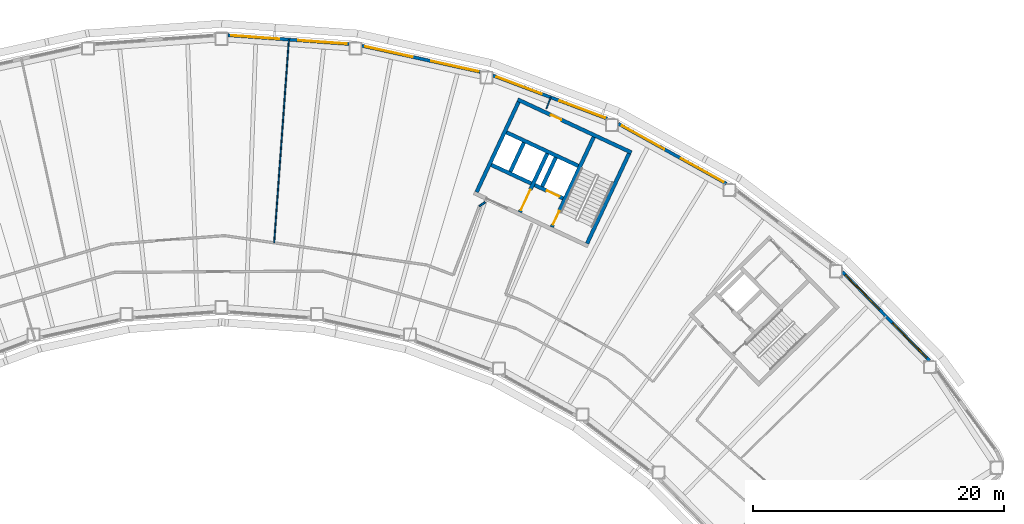
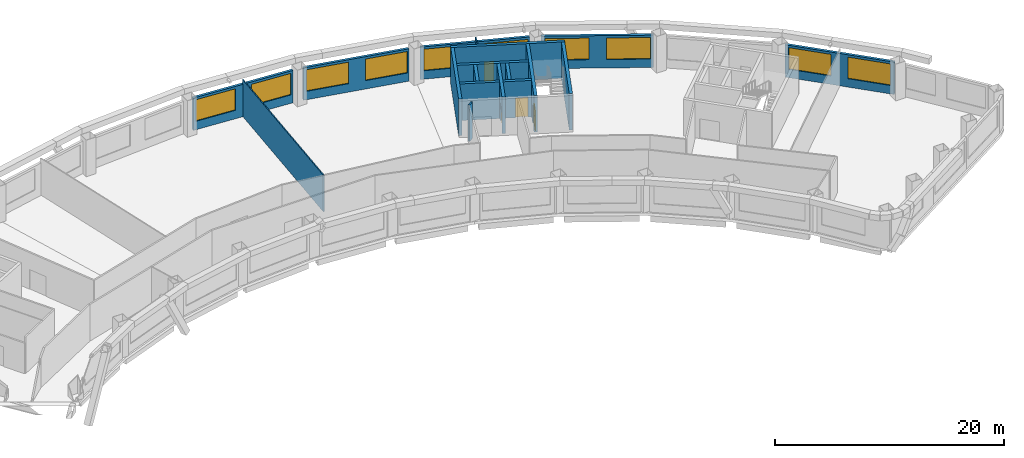
# One storey, part 7 of 13: 18 walls, 10 windows, 4 doors, 14 openings.
"""IFC4 building model written with IfcOpenShell, lengths in metres."""

from ifc_helpers import new_model, si_unit, direction, frame, frame_2d, origin, place, context, subcontext, project, spatial, rectangle, extrude, material, layer, layer_set, type_object, element, fill, save


model = new_model("IFC4")

# Units and contexts
model_context = context("Model", 3, precision=1e-05, world=origin(), true_north=direction((0.0, 1.0)))
body_context = subcontext(model_context, "Body", "Model", "MODEL_VIEW")
ifc_project = project(units=[si_unit("LENGTHUNIT", "METRE"), si_unit("AREAUNIT", "SQUARE_METRE"), si_unit("VOLUMEUNIT", "CUBIC_METRE"), si_unit("PLANEANGLEUNIT", "RADIAN"), si_unit("MASSUNIT", "GRAM", prefix="KILO")], contexts=[model_context])

# Site, building, storey
site_placement = place(None, origin())
site = spatial("IfcSite", under=ifc_project, at=site_placement, CompositionType="ELEMENT")
building_placement = place(site_placement, origin())
building = spatial("IfcBuilding", under=site, at=building_placement, Name="Tuul Gate Civic Tower", CompositionType="ELEMENT")
storey_placement = place(building_placement, frame((0.0, 0.0, 150.800048828125)))
storey = spatial("IfcBuildingStorey", under=building, at=storey_placement, Name="Level 34", CompositionType="ELEMENT", Elevation=150.800048828125)

# Wall, opening, door
ifc_material_1 = material(Name="Concrete C50/60", Category="concrete")
ifc_layer_1 = layer(ifc_material_1, 0.300048828125)
ifc_layer_set_1 = layer_set([ifc_layer_1], Name="Concrete C50/60")
wall_type_1 = type_object("IfcWallType", Name="Core wall C50/60", PredefinedType="SHEAR", material=ifc_layer_set_1)
wall_1_placement = place(storey_placement, frame((32.545654296875, -3.456787109375, 0.0), z_axis=(0.0, 0.0, 1.0), x_axis=(-0.906300357825, 0.42263419337, 0.0)))
wall_1 = element("IfcWall", 1, at=wall_1_placement, inside=storey, type_object=wall_type_1, Name="Core wall", PredefinedType="SHEAR", context=body_context, shape_type="SweptSolid", body=[
    extrude(rectangle(XDim=2.500244140625, YDim=0.300048828125, at=frame_2d((1.25, 0.0))), origin(), (0.0, 0.0, 1.0), 3.89990234375),
])
opening_1_placement = place(wall_1_placement, frame((0.324951171875, 0.0, 0.0)))
opening_1 = element("IfcOpeningElement", 2, at=opening_1_placement, cuts=wall_1, Name="Opening LD-FF-2", PredefinedType="OPENING", context=body_context, shape_type="SweptSolid", body=[
    extrude(rectangle(XDim=1.10009765625, YDim=2.10009765625, at=frame_2d((0.550048828125, 1.050048828125))), frame((0.0, 0.16015625, 0.0), z_axis=(0.0, -1.0, 0.0), x_axis=(1.0, 0.0, 0.0)), (0.0, 0.0, 1.0), 0.320068359375),
])
ifc_material_2 = material(Name="Stainless steel", Category="steel")
door_type_1 = type_object("IfcDoorType", Name="Landing door", OperationType="DOUBLE_DOOR_SLIDING", PredefinedType="DOOR", material=ifc_material_2)
door_1_placement = place(opening_1_placement, origin())
door_1 = element("IfcDoor", 3, at=door_1_placement, inside=storey, type_object=door_type_1, Name="Fire-fighting lift FF-2 landing door", OperationType="DOUBLE_DOOR_SLIDING", OverallHeight=2.10009765625, OverallWidth=1.10009765625, PredefinedType="DOOR", context=body_context, shape_type="SweptSolid", body=[
    extrude(rectangle(XDim=1.10009765625, YDim=2.10009765625, at=frame_2d((0.550048828125, 1.050048828125))), frame((0.0, 0.02490234375, 0.0), z_axis=(0.0, -1.0, 0.0), x_axis=(1.0, 0.0, 0.0)), (0.0, 0.0, 1.0), 0.050048828125),
])
fill(opening_1, door_1)

# Walls
wall_2_placement = place(storey_placement, frame((30.0078125, -2.2734375, 0.0), z_axis=(0.0, 0.0, 1.0), x_axis=(-0.90630071767, 0.422633421716, 0.0)))
element("IfcWall", 4, at=wall_2_placement, inside=storey, type_object=wall_type_1, Name="Core wall", PredefinedType="SHEAR", context=body_context, shape_type="SweptSolid", body=[
    extrude(rectangle(XDim=3.5, YDim=0.300048828125, at=frame_2d((1.75, 0.0))), origin(), (0.0, 0.0, 1.0), 3.89990234375),
])
wall_3_placement = place(storey_placement, frame((33.75, -0.873779296875, 0.0), z_axis=(0.0, 0.0, 1.0), x_axis=(-0.906300917592, 0.422632992999, 0.0)))
element("IfcWall", 5, at=wall_3_placement, inside=storey, type_object=wall_type_1, Name="Core wall", PredefinedType="SHEAR", context=body_context, shape_type="SweptSolid", body=[
    extrude(rectangle(XDim=6.300048828125, YDim=0.300048828125, at=frame_2d((3.14990234375, 0.0))), origin(), (0.0, 0.0, 1.0), 3.89990234375),
])

# Wall, opening, door
wall_4_placement = place(storey_placement, frame((37.993408203125, 0.181884765625, 0.0), z_axis=(0.0, 0.0, 1.0), x_axis=(-0.906310338845, 0.422612789327, 0.0)))
wall_4 = element("IfcWall", 6, at=wall_4_placement, inside=storey, type_object=wall_type_1, Name="Core wall", PredefinedType="SHEAR", context=body_context, shape_type="SweptSolid", body=[
    extrude(rectangle(XDim=9.999755859375, YDim=0.300048828125, at=frame_2d((5.0, 0.0))), origin(), (0.0, 0.0, 1.0), 3.89990234375),
])
opening_2_placement = place(wall_4_placement, frame((6.175048828125, 0.0, 0.0)))
opening_2 = element("IfcOpeningElement", 7, at=opening_2_placement, cuts=wall_4, Name="Opening L-D15", PredefinedType="OPENING", context=body_context, shape_type="SweptSolid", body=[
    extrude(rectangle(XDim=0.89990234375, YDim=2.10009765625, at=frame_2d((0.449951171875, 1.050048828125))), frame((0.0, 0.16015625, 0.0), z_axis=(0.0, -1.0, 0.0), x_axis=(1.0, 0.0, 0.0)), (0.0, 0.0, 1.0), 0.320068359375),
])
ifc_material_3 = material(Name="Timber door leaf", Category="wood")
door_type_2 = type_object("IfcDoorType", Name="Door D09", OperationType="NOTDEFINED", PredefinedType="DOOR", material=ifc_material_3)
door_2_placement = place(opening_2_placement, origin())
door_2 = element("IfcDoor", 8, at=door_2_placement, inside=storey, type_object=door_type_2, Name="Door L-D15", OperationType="SINGLE_SWING_LEFT", OverallHeight=2.10009765625, OverallWidth=0.89990234375, PredefinedType="DOOR", context=body_context, shape_type="SweptSolid", body=[
    extrude(rectangle(XDim=0.89990234375, YDim=2.10009765625, at=frame_2d((0.449951171875, 1.050048828125))), frame((0.0, 0.02490234375, 0.0), z_axis=(0.0, -1.0, 0.0), x_axis=(1.0, 0.0, 0.0)), (0.0, 0.0, 1.0), 0.050048828125),
])
fill(opening_2, door_2)

# Wall
wall_5_placement = place(storey_placement, frame((34.455810546875, -7.05078125, 0.0), z_axis=(0.0, 0.0, 1.0), x_axis=(0.422570768258, 0.906329932096, 0.0)))
element("IfcWall", 9, at=wall_5_placement, inside=storey, type_object=wall_type_1, Name="Core wall", PredefinedType="SHEAR", context=body_context, shape_type="SweptSolid", body=[
    extrude(rectangle(XDim=7.900146484375, YDim=0.300048828125, at=frame_2d((3.9501953125, 0.0))), origin(), (0.0, 0.0, 1.0), 3.89990234375),
])

# Wall, opening, door
wall_6_placement = place(storey_placement, frame((31.646240234375, -5.740478515625, 0.0), z_axis=(0.0, 0.0, 1.0), x_axis=(0.422582604137, 0.906324413596, 0.0)))
wall_6 = element("IfcWall", 10, at=wall_6_placement, inside=storey, type_object=wall_type_1, Name="Core wall", PredefinedType="SHEAR", context=body_context, shape_type="SweptSolid", body=[
    extrude(rectangle(XDim=7.89990234375, YDim=0.300048828125, at=frame_2d((3.949951171875, 0.0))), origin(), (0.0, 0.0, 1.0), 3.89990234375),
])
opening_3_placement = place(wall_6_placement, frame((0.199951171875, 0.0, 0.0)))
opening_3 = element("IfcOpeningElement", 11, at=opening_3_placement, cuts=wall_6, Name="Opening SD-ST-4", PredefinedType="OPENING", context=body_context, shape_type="SweptSolid", body=[
    extrude(rectangle(XDim=1.199951171875, YDim=2.10009765625, at=frame_2d((0.60009765625, 1.050048828125))), frame((0.0, 0.16015625, 0.0), z_axis=(0.0, -1.0, 0.0), x_axis=(1.0, 0.0, 0.0)), (0.0, 0.0, 1.0), 0.320068359375),
])
ifc_material_4 = material(Name="Steel", Category="steel")
door_type_3 = type_object("IfcDoorType", Name="Stair door", OperationType="NOTDEFINED", PredefinedType="DOOR", material=ifc_material_4)
door_3_placement = place(opening_3_placement, origin())
door_3 = element("IfcDoor", 12, at=door_3_placement, inside=storey, type_object=door_type_3, Name="Stair door ST-4", OperationType="SINGLE_SWING_LEFT", OverallHeight=2.10009765625, OverallWidth=1.199951171875, PredefinedType="DOOR", context=body_context, shape_type="SweptSolid", body=[
    extrude(rectangle(XDim=1.199951171875, YDim=2.10009765625, at=frame_2d((0.60009765625, 1.050048828125))), frame((0.0, 0.02490234375, 0.0), z_axis=(0.0, -1.0, 0.0), x_axis=(1.0, 0.0, 0.0)), (0.0, 0.0, 1.0), 0.050048828125),
])
fill(opening_3, door_3)

# Wall
wall_7_placement = place(storey_placement, frame((30.886962890625, -2.517822265625, 0.0), z_axis=(0.0, 0.0, 1.0), x_axis=(0.422612891016, 0.906310291427, 0.0)))
element("IfcWall", 13, at=wall_7_placement, inside=storey, type_object=wall_type_1, Name="Core wall", PredefinedType="SHEAR", context=body_context, shape_type="SweptSolid", body=[
    extrude(rectangle(XDim=2.550048828125, YDim=0.300048828125, at=frame_2d((1.27490234375, 0.0))), origin(), (0.0, 0.0, 1.0), 3.89990234375),
])

# Wall, opening, door
wall_8_placement = place(storey_placement, frame((29.108642578125, -4.557373046875, 0.0), z_axis=(0.0, 0.0, 1.0), x_axis=(0.422566235356, 0.90633204552, 0.0)))
wall_8 = element("IfcWall", 14, at=wall_8_placement, inside=storey, type_object=wall_type_1, Name="Core wall", PredefinedType="SHEAR", context=body_context, shape_type="SweptSolid", body=[
    extrude(rectangle(XDim=5.150146484375, YDim=0.300048828125, at=frame_2d((2.5751953125, 0.0))), origin(), (0.0, 0.0, 1.0), 3.89990234375),
])
opening_4_placement = place(wall_8_placement, frame((0.175048828125, 0.0, 0.0)))
opening_4 = element("IfcOpeningElement", 15, at=opening_4_placement, cuts=wall_8, Name="Opening LB-E3-FLOBBY-1", PredefinedType="OPENING", context=body_context, shape_type="SweptSolid", body=[
    extrude(rectangle(XDim=1.800048828125, YDim=2.10009765625, at=frame_2d((0.89990234375, 1.050048828125))), frame((0.0, 0.16015625, 0.0), z_axis=(0.0, -1.0, 0.0), x_axis=(1.0, 0.0, 0.0)), (0.0, 0.0, 1.0), 0.320068359375),
])
ifc_material_5 = material(Name="Steel", Category="steel")
door_type_4 = type_object("IfcDoorType", Name="Lobby door", OperationType="DOUBLE_DOOR_SINGLE_SWING", PredefinedType="DOOR", material=ifc_material_5)
door_4_placement = place(opening_4_placement, frame((1.800048828125, 0.0, 0.0), z_axis=(0.0, 0.0, 1.0), x_axis=(-1.0, 0.0, 0.0)))
door_4 = element("IfcDoor", 16, at=door_4_placement, inside=storey, type_object=door_type_4, Name="Lobby door E3-FLOBBY", OperationType="DOUBLE_DOOR_SINGLE_SWING", OverallHeight=2.10009765625, OverallWidth=1.800048828125, PredefinedType="DOOR", context=body_context, shape_type="SweptSolid", body=[
    extrude(rectangle(XDim=1.800048828125, YDim=2.10009765625, at=frame_2d((0.900146484375, 1.050048828125))), frame((0.0, 0.02490234375, 0.0), z_axis=(0.0, -1.0, 0.0), x_axis=(1.0, 0.0, 0.0)), (0.0, 0.0, 1.0), 0.050048828125),
])
fill(opening_4, door_4)

# Walls
wall_9_placement = place(storey_placement, frame((28.349365234375, -1.33447265625, 0.0), z_axis=(0.0, 0.0, 1.0), x_axis=(0.422612891016, 0.906310291427, 0.0)))
element("IfcWall", 17, at=wall_9_placement, inside=storey, type_object=wall_type_1, Name="Core wall", PredefinedType="SHEAR", context=body_context, shape_type="SweptSolid", body=[
    extrude(rectangle(XDim=2.550048828125, YDim=0.300048828125, at=frame_2d((1.27490234375, 0.0))), origin(), (0.0, 0.0, 1.0), 3.89990234375),
])
wall_10_placement = place(storey_placement, frame((25.66455078125, -2.951416015625, 0.0), z_axis=(0.0, 0.0, 1.0), x_axis=(0.422582604137, 0.906324413596, 0.0)))
element("IfcWall", 18, at=wall_10_placement, inside=storey, type_object=wall_type_1, Name="Core wall", PredefinedType="SHEAR", context=body_context, shape_type="SweptSolid", body=[
    extrude(rectangle(XDim=7.89990234375, YDim=0.300048828125, at=frame_2d((3.949951171875, 0.0))), origin(), (0.0, 0.0, 1.0), 3.89990234375),
])
ifc_material_6 = material(Name="Gypsum board partition")
ifc_layer_2 = layer(ifc_material_6, 0.14990234375)
ifc_layer_set_2 = layer_set([ifc_layer_2], Name="Gypsum board partition")
wall_type_2 = type_object("IfcWallType", Name="Corridor wall P150", PredefinedType="PARTITIONING", material=ifc_layer_set_2)
wall_11_placement = place(storey_placement, frame((25.884033203125, -4.08251953125, 0.0), z_axis=(0.0, 0.0, 1.0), x_axis=(0.823480373331, 0.567344758272, 0.0)))
element("IfcWall", 19, at=wall_11_placement, inside=storey, type_object=wall_type_2, Name="p015", PredefinedType="PARTITIONING", context=body_context, shape_type="SweptSolid", body=[
    extrude(rectangle(XDim=0.55859375, YDim=0.14990234375, at=frame_2d((0.279296875, 0.0))), origin(), (0.0, 0.0, 1.0), 3.89990234375),
])

# Wall, openings, windows
ifc_material_7 = material(Name="Precast concrete C40/50", Category="concrete")
ifc_layer_3 = layer(ifc_material_7, 0.25)
ifc_layer_set_3 = layer_set([ifc_layer_3], Name="Precast concrete C40/50")
wall_type_3 = type_object("IfcWallType", Name="External wall", PredefinedType="STANDARD", material=ifc_layer_set_3)
wall_12_placement = place(storey_placement, frame((61.7109375, -16.384033203125, 0.0), z_axis=(0.0, 0.0, 1.0), x_axis=(-0.700039889753, 0.714103740891, 0.0)))
wall_12 = element("IfcWall", 20, at=wall_12_placement, inside=storey, type_object=wall_type_3, Name="External wall", PredefinedType="STANDARD", context=body_context, shape_type="SweptSolid", body=[
    extrude(rectangle(XDim=9.912353515625, YDim=0.25, at=frame_2d((4.9560546875, 0.0))), origin(), (0.0, 0.0, 1.0), 3.449951171875),
])
opening_5_placement = place(wall_12_placement, frame((0.3466796875, 0.0, 0.89990234375)))
opening_5 = element("IfcOpeningElement", 21, at=opening_5_placement, cuts=wall_12, Name="Opening W22", PredefinedType="OPENING", context=body_context, shape_type="SweptSolid", body=[
    extrude(rectangle(XDim=3.85009765625, YDim=2.300048828125, at=frame_2d((1.925048828125, 1.14990234375))), frame((0.0, 0.135009765625, 0.0), z_axis=(0.0, -1.0, 0.0), x_axis=(1.0, 0.0, 0.0)), (0.0, 0.0, 1.0), 0.27001953125),
])
opening_6_placement = place(wall_12_placement, frame((5.7177734375, 0.0, 0.89990234375)))
opening_6 = element("IfcOpeningElement", 22, at=opening_6_placement, cuts=wall_12, Name="Opening W22", PredefinedType="OPENING", context=body_context, shape_type="SweptSolid", body=[
    extrude(rectangle(XDim=3.85009765625, YDim=2.300048828125, at=frame_2d((1.925048828125, 1.14990234375))), frame((0.0, 0.135009765625, 0.0), z_axis=(0.0, -1.0, 0.0), x_axis=(1.0, 0.0, 0.0)), (0.0, 0.0, 1.0), 0.27001953125),
])
ifc_material_8 = material(Name="Glass", Category="glass")
window_type = type_object("IfcWindowType", Name="Window W22 3850 x 2300", PartitioningType="SINGLE_PANEL", PredefinedType="WINDOW", material=ifc_material_8)
window_1_placement = place(opening_5_placement, origin())
window_1 = element("IfcWindow", 23, at=window_1_placement, inside=storey, type_object=window_type, Name="Window", OverallHeight=2.300048828125, OverallWidth=3.85009765625, PartitioningType="SINGLE_PANEL", PredefinedType="WINDOW", context=body_context, shape_type="SweptSolid", body=[
    extrude(rectangle(XDim=3.85009765625, YDim=2.300048828125, at=frame_2d((1.925048828125, 1.14990234375))), frame((0.0, 0.030029296875, 0.0), z_axis=(0.0, -1.0, 0.0), x_axis=(1.0, 0.0, 0.0)), (0.0, 0.0, 1.0), 0.06005859375),
])
fill(opening_5, window_1)
window_2_placement = place(opening_6_placement, origin())
window_2 = element("IfcWindow", 24, at=window_2_placement, inside=storey, type_object=window_type, Name="Window", OverallHeight=2.300048828125, OverallWidth=3.85009765625, PartitioningType="SINGLE_PANEL", PredefinedType="WINDOW", context=body_context, shape_type="SweptSolid", body=[
    extrude(rectangle(XDim=3.85009765625, YDim=2.300048828125, at=frame_2d((1.925048828125, 1.14990234375))), frame((0.0, 0.030029296875, 0.0), z_axis=(0.0, -1.0, 0.0), x_axis=(1.0, 0.0, 0.0)), (0.0, 0.0, 1.0), 0.06005859375),
])
fill(opening_6, window_2)

wall_13_placement = place(storey_placement, frame((45.545166015625, -2.291015625, 0.0), z_axis=(0.0, 0.0, 1.0), x_axis=(-0.874631968484, 0.484787499536, 0.0)))
wall_13 = element("IfcWall", 25, at=wall_13_placement, inside=storey, type_object=wall_type_3, Name="External wall", PredefinedType="STANDARD", context=body_context, shape_type="SweptSolid", body=[
    extrude(rectangle(XDim=9.8408203125, YDim=0.25, at=frame_2d((4.92041015625, 0.0))), origin(), (0.0, 0.0, 1.0), 3.449951171875),
])
opening_7_placement = place(wall_13_placement, frame((0.283447265625, 0.0, 0.89990234375)))
opening_7 = element("IfcOpeningElement", 26, at=opening_7_placement, cuts=wall_13, Name="Opening W22", PredefinedType="OPENING", context=body_context, shape_type="SweptSolid", body=[
    extrude(rectangle(XDim=3.85009765625, YDim=2.300048828125, at=frame_2d((1.925048828125, 1.14990234375))), frame((0.0, 0.135009765625, 0.0), z_axis=(0.0, -1.0, 0.0), x_axis=(1.0, 0.0, 0.0)), (0.0, 0.0, 1.0), 0.27001953125),
])
opening_8_placement = place(wall_13_placement, frame((5.655029296875, 0.0, 0.89990234375)))
opening_8 = element("IfcOpeningElement", 27, at=opening_8_placement, cuts=wall_13, Name="Opening W22", PredefinedType="OPENING", context=body_context, shape_type="SweptSolid", body=[
    extrude(rectangle(XDim=3.85009765625, YDim=2.300048828125, at=frame_2d((1.925048828125, 1.14990234375))), frame((0.0, 0.135009765625, 0.0), z_axis=(0.0, -1.0, 0.0), x_axis=(1.0, 0.0, 0.0)), (0.0, 0.0, 1.0), 0.27001953125),
])
window_3_placement = place(opening_7_placement, origin())
window_3 = element("IfcWindow", 28, at=window_3_placement, inside=storey, type_object=window_type, Name="Window", OverallHeight=2.300048828125, OverallWidth=3.85009765625, PartitioningType="SINGLE_PANEL", PredefinedType="WINDOW", context=body_context, shape_type="SweptSolid", body=[
    extrude(rectangle(XDim=3.85009765625, YDim=2.300048828125, at=frame_2d((1.925048828125, 1.14990234375))), frame((0.0, 0.030029296875, 0.0), z_axis=(0.0, -1.0, 0.0), x_axis=(1.0, 0.0, 0.0)), (0.0, 0.0, 1.0), 0.06005859375),
])
fill(opening_7, window_3)
window_4_placement = place(opening_8_placement, origin())
window_4 = element("IfcWindow", 29, at=window_4_placement, inside=storey, type_object=window_type, Name="Window", OverallHeight=2.300048828125, OverallWidth=3.85009765625, PartitioningType="SINGLE_PANEL", PredefinedType="WINDOW", context=body_context, shape_type="SweptSolid", body=[
    extrude(rectangle(XDim=3.85009765625, YDim=2.300048828125, at=frame_2d((1.925048828125, 1.14990234375))), frame((0.0, 0.030029296875, 0.0), z_axis=(0.0, -1.0, 0.0), x_axis=(1.0, 0.0, 0.0)), (0.0, 0.0, 1.0), 0.06005859375),
])
fill(opening_8, window_4)

wall_14_placement = place(storey_placement, frame((36.03564453125, 2.885009765625, 0.0), z_axis=(0.0, 0.0, 1.0), x_axis=(-0.935351451724, 0.353719750307, 0.0)))
wall_14 = element("IfcWall", 30, at=wall_14_placement, inside=storey, type_object=wall_type_3, Name="External wall", PredefinedType="STANDARD", context=body_context, shape_type="SweptSolid", body=[
    extrude(rectangle(XDim=9.712646484375, YDim=0.25, at=frame_2d((4.8564453125, 0.0))), origin(), (0.0, 0.0, 1.0), 3.449951171875),
])
opening_9_placement = place(wall_14_placement, frame((0.17578125, 0.0, 0.89990234375)))
opening_9 = element("IfcOpeningElement", 31, at=opening_9_placement, cuts=wall_14, Name="Opening W22", PredefinedType="OPENING", context=body_context, shape_type="SweptSolid", body=[
    extrude(rectangle(XDim=3.85009765625, YDim=2.300048828125, at=frame_2d((1.925048828125, 1.14990234375))), frame((0.0, 0.135009765625, 0.0), z_axis=(0.0, -1.0, 0.0), x_axis=(1.0, 0.0, 0.0)), (0.0, 0.0, 1.0), 0.27001953125),
])
opening_10_placement = place(wall_14_placement, frame((5.546875, 0.0, 0.89990234375)))
opening_10 = element("IfcOpeningElement", 32, at=opening_10_placement, cuts=wall_14, Name="Opening W22", PredefinedType="OPENING", context=body_context, shape_type="SweptSolid", body=[
    extrude(rectangle(XDim=3.85009765625, YDim=2.300048828125, at=frame_2d((1.925048828125, 1.14990234375))), frame((0.0, 0.135009765625, 0.0), z_axis=(0.0, -1.0, 0.0), x_axis=(1.0, 0.0, 0.0)), (0.0, 0.0, 1.0), 0.27001953125),
])
window_5_placement = place(opening_9_placement, origin())
window_5 = element("IfcWindow", 33, at=window_5_placement, inside=storey, type_object=window_type, Name="Window", OverallHeight=2.300048828125, OverallWidth=3.85009765625, PartitioningType="SINGLE_PANEL", PredefinedType="WINDOW", context=body_context, shape_type="SweptSolid", body=[
    extrude(rectangle(XDim=3.85009765625, YDim=2.300048828125, at=frame_2d((1.925048828125, 1.14990234375))), frame((0.0, 0.030029296875, 0.0), z_axis=(0.0, -1.0, 0.0), x_axis=(1.0, 0.0, 0.0)), (0.0, 0.0, 1.0), 0.06005859375),
])
fill(opening_9, window_5)
window_6_placement = place(opening_10_placement, origin())
window_6 = element("IfcWindow", 34, at=window_6_placement, inside=storey, type_object=window_type, Name="Window", OverallHeight=2.300048828125, OverallWidth=3.85009765625, PartitioningType="SINGLE_PANEL", PredefinedType="WINDOW", context=body_context, shape_type="SweptSolid", body=[
    extrude(rectangle(XDim=3.85009765625, YDim=2.300048828125, at=frame_2d((1.925048828125, 1.14990234375))), frame((0.0, 0.030029296875, 0.0), z_axis=(0.0, -1.0, 0.0), x_axis=(1.0, 0.0, 0.0)), (0.0, 0.0, 1.0), 0.06005859375),
])
fill(opening_10, window_6)

wall_15_placement = place(storey_placement, frame((25.950927734375, 6.60546875, 0.0), z_axis=(0.0, 0.0, 1.0), x_axis=(-0.976568733391, 0.215205736364, 0.0)))
wall_15 = element("IfcWall", 35, at=wall_15_placement, inside=storey, type_object=wall_type_3, Name="External wall", PredefinedType="STANDARD", context=body_context, shape_type="SweptSolid", body=[
    extrude(rectangle(XDim=9.654296875, YDim=0.25, at=frame_2d((4.8271484375, 0.0))), origin(), (0.0, 0.0, 1.0), 3.449951171875),
])
opening_11_placement = place(wall_15_placement, frame((0.145263671875, 0.0, 0.89990234375)))
opening_11 = element("IfcOpeningElement", 36, at=opening_11_placement, cuts=wall_15, Name="Opening W22", PredefinedType="OPENING", context=body_context, shape_type="SweptSolid", body=[
    extrude(rectangle(XDim=3.85009765625, YDim=2.300048828125, at=frame_2d((1.925048828125, 1.14990234375))), frame((0.0, 0.135009765625, 0.0), z_axis=(0.0, -1.0, 0.0), x_axis=(1.0, 0.0, 0.0)), (0.0, 0.0, 1.0), 0.27001953125),
])
opening_12_placement = place(wall_15_placement, frame((5.5166015625, 0.0, 0.89990234375)))
opening_12 = element("IfcOpeningElement", 37, at=opening_12_placement, cuts=wall_15, Name="Opening W22", PredefinedType="OPENING", context=body_context, shape_type="SweptSolid", body=[
    extrude(rectangle(XDim=3.85009765625, YDim=2.300048828125, at=frame_2d((1.925048828125, 1.14990234375))), frame((0.0, 0.135009765625, 0.0), z_axis=(0.0, -1.0, 0.0), x_axis=(1.0, 0.0, 0.0)), (0.0, 0.0, 1.0), 0.27001953125),
])
window_7_placement = place(opening_11_placement, origin())
window_7 = element("IfcWindow", 38, at=window_7_placement, inside=storey, type_object=window_type, Name="Window", OverallHeight=2.300048828125, OverallWidth=3.85009765625, PartitioningType="SINGLE_PANEL", PredefinedType="WINDOW", context=body_context, shape_type="SweptSolid", body=[
    extrude(rectangle(XDim=3.85009765625, YDim=2.300048828125, at=frame_2d((1.925048828125, 1.14990234375))), frame((0.0, 0.030029296875, 0.0), z_axis=(0.0, -1.0, 0.0), x_axis=(1.0, 0.0, 0.0)), (0.0, 0.0, 1.0), 0.06005859375),
])
fill(opening_11, window_7)
window_8_placement = place(opening_12_placement, origin())
window_8 = element("IfcWindow", 39, at=window_8_placement, inside=storey, type_object=window_type, Name="Window", OverallHeight=2.300048828125, OverallWidth=3.85009765625, PartitioningType="SINGLE_PANEL", PredefinedType="WINDOW", context=body_context, shape_type="SweptSolid", body=[
    extrude(rectangle(XDim=3.85009765625, YDim=2.300048828125, at=frame_2d((1.925048828125, 1.14990234375))), frame((0.0, 0.030029296875, 0.0), z_axis=(0.0, -1.0, 0.0), x_axis=(1.0, 0.0, 0.0)), (0.0, 0.0, 1.0), 0.06005859375),
])
fill(opening_12, window_8)

wall_16_placement = place(storey_placement, frame((15.52294921875, 8.822509765625, 0.0), z_axis=(0.0, 0.0, 1.0), x_axis=(-0.997386456692, 0.07225133914, 0.0)))
wall_16 = element("IfcWall", 40, at=wall_16_placement, inside=storey, type_object=wall_type_3, Name="External wall", PredefinedType="STANDARD", context=body_context, shape_type="SweptSolid", body=[
    extrude(rectangle(XDim=9.67431640625, YDim=0.25, at=frame_2d((4.837158203125, 0.0))), origin(), (0.0, 0.0, 1.0), 3.449951171875),
])
opening_13_placement = place(wall_16_placement, frame((0.203125, 0.0, 0.89990234375)))
opening_13 = element("IfcOpeningElement", 41, at=opening_13_placement, cuts=wall_16, Name="Opening W22", PredefinedType="OPENING", context=body_context, shape_type="SweptSolid", body=[
    extrude(rectangle(XDim=3.85009765625, YDim=2.300048828125, at=frame_2d((1.925048828125, 1.14990234375))), frame((0.0, 0.135009765625, 0.0), z_axis=(0.0, -1.0, 0.0), x_axis=(1.0, 0.0, 0.0)), (0.0, 0.0, 1.0), 0.27001953125),
])
opening_14_placement = place(wall_16_placement, frame((5.57421875, 0.0, 0.89990234375)))
opening_14 = element("IfcOpeningElement", 42, at=opening_14_placement, cuts=wall_16, Name="Opening W22", PredefinedType="OPENING", context=body_context, shape_type="SweptSolid", body=[
    extrude(rectangle(XDim=3.85009765625, YDim=2.300048828125, at=frame_2d((1.925048828125, 1.14990234375))), frame((0.0, 0.135009765625, 0.0), z_axis=(0.0, -1.0, 0.0), x_axis=(1.0, 0.0, 0.0)), (0.0, 0.0, 1.0), 0.27001953125),
])
window_9_placement = place(opening_13_placement, origin())
window_9 = element("IfcWindow", 43, at=window_9_placement, inside=storey, type_object=window_type, Name="Window", OverallHeight=2.300048828125, OverallWidth=3.85009765625, PartitioningType="SINGLE_PANEL", PredefinedType="WINDOW", context=body_context, shape_type="SweptSolid", body=[
    extrude(rectangle(XDim=3.85009765625, YDim=2.300048828125, at=frame_2d((1.925048828125, 1.14990234375))), frame((0.0, 0.030029296875, 0.0), z_axis=(0.0, -1.0, 0.0), x_axis=(1.0, 0.0, 0.0)), (0.0, 0.0, 1.0), 0.06005859375),
])
fill(opening_13, window_9)
window_10_placement = place(opening_14_placement, origin())
window_10 = element("IfcWindow", 44, at=window_10_placement, inside=storey, type_object=window_type, Name="Window", OverallHeight=2.300048828125, OverallWidth=3.85009765625, PartitioningType="SINGLE_PANEL", PredefinedType="WINDOW", context=body_context, shape_type="SweptSolid", body=[
    extrude(rectangle(XDim=3.85009765625, YDim=2.300048828125, at=frame_2d((1.925048828125, 1.14990234375))), frame((0.0, 0.030029296875, 0.0), z_axis=(0.0, -1.0, 0.0), x_axis=(1.0, 0.0, 0.0)), (0.0, 0.0, 1.0), 0.06005859375),
])
fill(opening_14, window_10)

# Walls
ifc_material_9 = material(Name="Gypsum board partition")
ifc_layer_4 = layer(ifc_material_9, 0.10009765625)
ifc_layer_set_4 = layer_set([ifc_layer_4], Name="Gypsum board partition")
wall_type_4 = type_object("IfcWallType", Name="Partition P100", PredefinedType="PARTITIONING", material=ifc_layer_set_4)
wall_17_placement = place(storey_placement, frame((31.217041015625, 3.673095703125, 0.0), z_axis=(0.0, 0.0, 1.0), x_axis=(0.353571482385, 0.935407508439, 0.0)))
element("IfcWall", 45, at=wall_17_placement, inside=storey, type_object=wall_type_4, Name="p007", PredefinedType="PARTITIONING", context=body_context, shape_type="SweptSolid", body=[
    extrude(rectangle(XDim=0.97216796875, YDim=0.10009765625, at=frame_2d((0.486083984375, 0.0))), origin(), (0.0, 0.0, 1.0), 3.89990234375),
])
wall_18_placement = place(storey_placement, frame((9.551025390625, -6.998046875, 0.0), z_axis=(0.0, 0.0, 1.0), x_axis=(0.072252771604, 0.997386352922, 0.0)))
element("IfcWall", 46, at=wall_18_placement, inside=storey, type_object=wall_type_4, Name="p014", PredefinedType="PARTITIONING", context=body_context, shape_type="SweptSolid", body=[
    extrude(rectangle(XDim=16.2158203125, YDim=0.10009765625, at=frame_2d((8.10791015625, 0.0))), origin(), (0.0, 0.0, 1.0), 3.89990234375),
])

save(model, "model.ifc")
